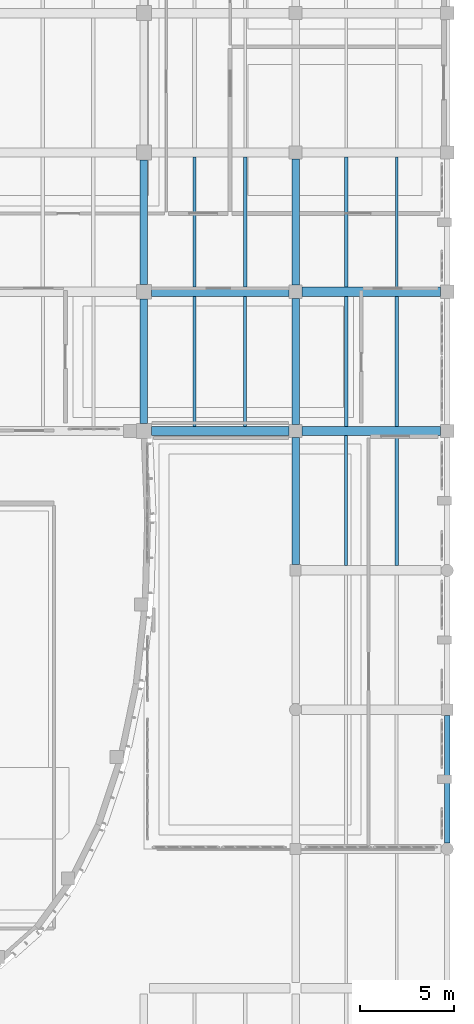
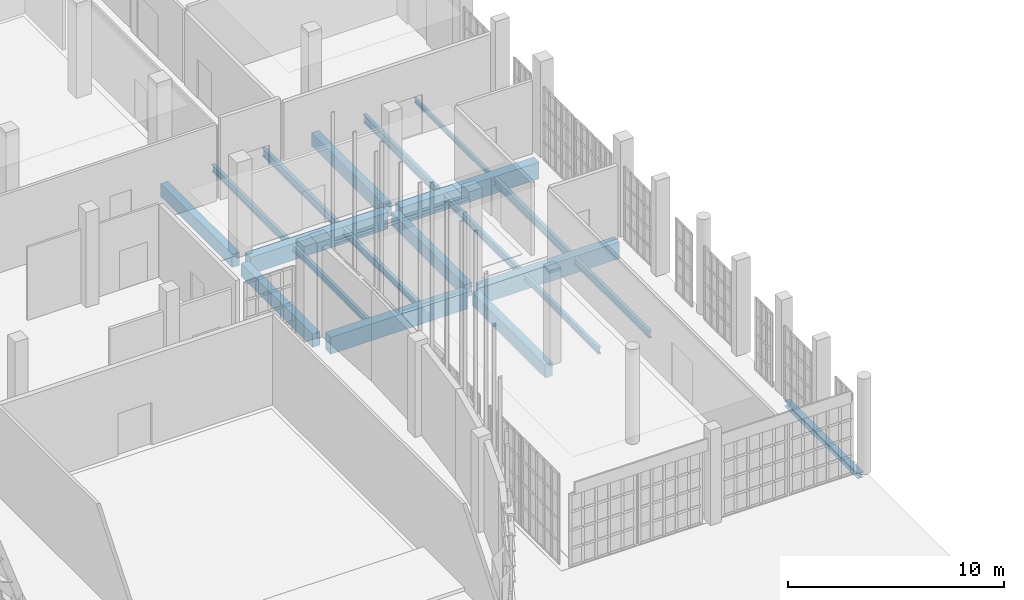
# One storey, part 285 of 372: 20 beams.
"""IFC4 building model written with IfcOpenShell, lengths in metres."""

from ifc_helpers import new_model, si_unit, direction, frame, origin, origin_2d, place, context, subcontext, project, spatial, rectangle, i_section, extrude, material, material_profile, profile_set, type_object, element, save


model = new_model("IFC4")

# Units and contexts
model_context = context("Model", 3, precision=1e-05, world=origin(), true_north=direction((0.0, 1.0)))
body_context = subcontext(model_context, "Body", "Model", "MODEL_VIEW")
ifc_project = project(units=[si_unit("LENGTHUNIT", "METRE"), si_unit("AREAUNIT", "SQUARE_METRE"), si_unit("VOLUMEUNIT", "CUBIC_METRE"), si_unit("PLANEANGLEUNIT", "RADIAN"), si_unit("MASSUNIT", "GRAM", prefix="KILO")], contexts=[model_context])

# Site, building, storey
site_placement = place(None, origin())
site = spatial("IfcSite", under=ifc_project, at=site_placement, CompositionType="ELEMENT")
building_placement = place(site_placement, origin())
building = spatial("IfcBuilding", under=site, at=building_placement, Name="Kaelora Sail Theatre", CompositionType="ELEMENT")
storey_placement = place(building_placement, origin())
storey = spatial("IfcBuildingStorey", under=building, at=storey_placement, Name="L00", CompositionType="ELEMENT", Elevation=0.0)

# Beams
ifc_material_1 = material(Name="Steel S355", Category="steel")
ifc_material_profile_1 = material_profile(ifc_material_1, i_section(OverallWidth=0.18994140625, OverallDepth=0.449951171875, WebThickness=0.009521484375, FlangeThickness=0.0146484375, FilletRadius=0.02099609375, at=origin_2d()), Name="IPE 450")
ifc_profile_set_1 = profile_set([ifc_material_profile_1], Name="Steel S355")
beam_type_1 = type_object("IfcBeamType", Name="STR-BM-BM-IPE450", PredefinedType="BEAM", material=ifc_profile_set_1)
for number, where, z_axis, x_axis, name in (
    (1, (152.699951171875, 61.27001953125, -0.544921875), (0.0, 1.0, 0.0), (-1.0, 0.0, 0.0), "Secondary floor joist 19/I-2 (L00)"),
    (2, (160.800048828125, 53.830078125, -0.544921875), (0.0, 1.0, 0.0), (-1.0, 0.0, 0.0), "Secondary floor joist 20/H-2 (L00)"),
    (3, (158.10009765625, 61.27001953125, -0.544921875), (0.0, 1.0, 0.0), (-1.0, 0.0, 0.0), "Secondary floor joist 20/I-1 (L00)"),
):
    element("IfcBeam", number, at=place(storey_placement, frame(where, z_axis=z_axis, x_axis=x_axis)), inside=storey, type_object=beam_type_1, Name=name, PredefinedType="BEAM", context=body_context, shape_type="SweptSolid", body=[
        extrude(i_section(OverallWidth=0.18994140625, OverallDepth=0.449951171875, WebThickness=0.009521484375, FlangeThickness=0.0146484375, FilletRadius=0.02099609375, at=origin_2d()), origin(), (0.0, 0.0, 1.0), 6.93994140625),
    ])
ifc_material_2 = material(Name="Concrete C40/50", Category="concrete")
ifc_material_profile_2 = material_profile(ifc_material_2, rectangle(XDim=0.39990234375, YDim=0.75, at=origin_2d()), Name="RC-BM 400x750")
ifc_profile_set_2 = profile_set([ifc_material_profile_2], Name="Concrete C40/50")
beam_type_2 = type_object("IfcBeamType", Name="STR-BM-BM-RC4075", PredefinedType="BEAM", material=ifc_profile_set_2)
for number, where, z_axis, x_axis, name in (
    (4, (147.300048828125, 53.97998046875, -0.695068359375), (0.0, 1.0, 0.0), (-1.0, 0.0, 0.0), "Primary beam 19 H-I (L00)"),
    (5, (147.300048828125, 61.419921875, -0.695068359375), (0.0, 1.0, 0.0), (-1.0, 0.0, 0.0), "Primary beam 19 I-J (L00)"),
):
    element("IfcBeam", number, at=place(storey_placement, frame(where, z_axis=z_axis, x_axis=x_axis)), inside=storey, type_object=beam_type_2, Name=name, PredefinedType="BEAM", context=body_context, shape_type="SweptSolid", body=[
        extrude(rectangle(XDim=0.39990234375, YDim=0.75, at=origin_2d()), origin(), (0.0, 0.0, 1.0), 6.64013671875),
    ])
beam_1_placement = place(storey_placement, frame((155.39990234375, 46.43994140625, -0.695068359375), z_axis=(0.0, 1.0, 0.0), x_axis=(-1.0, 0.0, 0.0)))
element("IfcBeam", 6, at=beam_1_placement, inside=storey, type_object=beam_type_2, Name="Primary beam 20 G-H (L00)", PredefinedType="BEAM", context=body_context, shape_type="SweptSolid", body=[
    extrude(rectangle(XDim=0.39990234375, YDim=0.75, at=origin_2d()), origin(), (0.0, 0.0, 1.0), 6.7900390625),
])
for number, where, z_axis, x_axis, name in (
    (7, (155.39990234375, 53.929931640625, -0.695068359375), (0.0, 1.0, 0.0), (-1.0, 0.0, 0.0), "Primary beam 20 H-I (L00)"),
    (8, (155.39990234375, 61.3701171875, -0.695068359375), (0.0, 1.0, 0.0), (-1.0, 0.0, 0.0), "Primary beam 20 I-J (L00)"),
):
    element("IfcBeam", number, at=place(storey_placement, frame(where, z_axis=z_axis, x_axis=x_axis)), inside=storey, type_object=beam_type_2, Name=name, PredefinedType="BEAM", context=body_context, shape_type="SweptSolid", body=[
        extrude(rectangle(XDim=0.39990234375, YDim=0.75, at=origin_2d()), origin(), (0.0, 0.0, 1.0), 6.739990234375),
    ])
ifc_material_3 = material(Name="Concrete C45/55", Category="concrete")
ifc_material_profile_3 = material_profile(ifc_material_3, rectangle(XDim=0.5, YDim=0.949951171875, at=origin_2d()), Name="RC-GRD 500x950")
ifc_profile_set_3 = profile_set([ifc_material_profile_3], Name="Concrete C45/55")
beam_type_3 = type_object("IfcBeamType", Name="STR-BM-GR-RC5095", PredefinedType="T_BEAM", material=ifc_profile_set_3)
for number, where, z_axis, x_axis, name in (
    (9, (147.699951171875, 53.580078125, -0.794921875), (1.0, 0.0, 0.0), (0.0, 1.0, 0.0), "Primary beam H 19-20 (L00)"),
    (10, (147.699951171875, 61.02001953125, -0.794921875), (1.0, 0.0, 0.0), (0.0, 1.0, 0.0), "Primary beam I 19-20 (L00)"),
):
    element("IfcBeam", number, at=place(storey_placement, frame(where, z_axis=z_axis, x_axis=x_axis)), inside=storey, type_object=beam_type_3, Name=name, PredefinedType="T_BEAM", context=body_context, shape_type="SweptSolid", body=[
        extrude(rectangle(XDim=0.5, YDim=0.949951171875, at=origin_2d()), origin(), (0.0, 0.0, 1.0), 7.35009765625),
    ])
for number, where, z_axis, x_axis, name in (
    (11, (155.75, 53.580078125, -0.794921875), (1.0, 0.0, 0.0), (0.0, 1.0, 0.0), "Primary beam H 20-21 (L00)"),
    (12, (155.75, 61.02001953125, -0.794921875), (1.0, 0.0, 0.0), (0.0, 1.0, 0.0), "Primary beam I 20-21 (L00)"),
):
    element("IfcBeam", number, at=place(storey_placement, frame(where, z_axis=z_axis, x_axis=x_axis)), inside=storey, type_object=beam_type_3, Name=name, PredefinedType="T_BEAM", context=body_context, shape_type="SweptSolid", body=[
        extrude(rectangle(XDim=0.5, YDim=0.949951171875, at=origin_2d()), origin(), (0.0, 0.0, 1.0), 7.39990234375),
    ])
ifc_material_4 = material(Name="Steel S355", Category="steel")
ifc_material_profile_4 = material_profile(ifc_material_4, i_section(OverallWidth=0.135009765625, OverallDepth=0.27001953125, WebThickness=0.006591796875, FlangeThickness=0.01025390625, FilletRadius=0.014892578125, at=origin_2d()), Name="IPE 270")
ifc_profile_set_4 = profile_set([ifc_material_profile_4], Name="Steel S355")
beam_type_4 = type_object("IfcBeamType", Name="STR-BM-JS-IPE270", PredefinedType="JOIST", material=ifc_profile_set_4)
beam_2_placement = place(storey_placement, frame((160.800048828125, 61.27001953125, -0.455078125), z_axis=(0.0, 1.0, 0.0), x_axis=(-1.0, 0.0, 0.0)))
element("IfcBeam", 13, at=beam_2_placement, inside=storey, type_object=beam_type_4, Name="Secondary floor joist 20/I-2 (L00)", PredefinedType="JOIST", context=body_context, shape_type="SweptSolid", body=[
    extrude(i_section(OverallWidth=0.135009765625, OverallDepth=0.27001953125, WebThickness=0.006591796875, FlangeThickness=0.01025390625, FilletRadius=0.014892578125, at=origin_2d()), origin(), (0.0, 0.0, 1.0), 6.93994140625),
])
ifc_material_5 = material(Name="Steel S355", Category="steel")
ifc_material_profile_5 = material_profile(ifc_material_5, i_section(OverallWidth=0.169921875, OverallDepth=0.360107421875, WebThickness=0.008056640625, FlangeThickness=0.0126953125, FilletRadius=0.01806640625, at=origin_2d()), Name="IPE 360")
ifc_profile_set_5 = profile_set([ifc_material_profile_5], Name="Steel S355")
beam_type_5 = type_object("IfcBeamType", Name="STR-BM-JS-IPE360", PredefinedType="JOIST", material=ifc_profile_set_5)
beam_3_placement = place(storey_placement, frame((150.0, 53.830078125, -0.5), z_axis=(0.0, 1.0, 0.0), x_axis=(-1.0, 0.0, 0.0)))
element("IfcBeam", 14, at=beam_3_placement, inside=storey, type_object=beam_type_5, Name="Secondary floor joist 19/H-1 (L00)", PredefinedType="JOIST", context=body_context, shape_type="SweptSolid", body=[
    extrude(i_section(OverallWidth=0.169921875, OverallDepth=0.360107421875, WebThickness=0.008056640625, FlangeThickness=0.0126953125, FilletRadius=0.01806640625, at=origin_2d()), origin(), (0.0, 0.0, 1.0), 6.93994140625),
])
beam_4_placement = place(storey_placement, frame((158.10009765625, 46.389892578125, -0.5), z_axis=(0.0, 1.0, 0.0), x_axis=(-1.0, 0.0, 0.0)))
element("IfcBeam", 15, at=beam_4_placement, inside=storey, type_object=beam_type_5, Name="Secondary floor joist 20/G-1 (L00)", PredefinedType="JOIST", context=body_context, shape_type="SweptSolid", body=[
    extrude(i_section(OverallWidth=0.169921875, OverallDepth=0.360107421875, WebThickness=0.008056640625, FlangeThickness=0.0126953125, FilletRadius=0.01806640625, at=origin_2d()), origin(), (0.0, 0.0, 1.0), 6.940185546875),
])
ifc_material_6 = material(Name="Steel S355", Category="steel")
ifc_material_profile_6 = material_profile(ifc_material_6, i_section(OverallWidth=0.179931640625, OverallDepth=0.39990234375, WebThickness=0.008544921875, FlangeThickness=0.013427734375, FilletRadius=0.02099609375, at=origin_2d()), Name="IPE 400")
ifc_profile_set_6 = profile_set([ifc_material_profile_6], Name="Steel S355")
beam_type_6 = type_object("IfcBeamType", Name="STR-BM-JS-IPE400", PredefinedType="JOIST", material=ifc_profile_set_6)
for number, where, z_axis, x_axis, name in (
    (16, (152.699951171875, 53.830078125, -0.52001953125), (0.0, 1.0, 0.0), (-1.0, 0.0, 0.0), "Secondary floor joist 19/H-2 (L00)"),
    (17, (150.0, 61.27001953125, -0.52001953125), (0.0, 1.0, 0.0), (-1.0, 0.0, 0.0), "Secondary floor joist 19/I-1 (L00)"),
):
    element("IfcBeam", number, at=place(storey_placement, frame(where, z_axis=z_axis, x_axis=x_axis)), inside=storey, type_object=beam_type_6, Name=name, PredefinedType="JOIST", context=body_context, shape_type="SweptSolid", body=[
        extrude(i_section(OverallWidth=0.179931640625, OverallDepth=0.39990234375, WebThickness=0.008544921875, FlangeThickness=0.013427734375, FilletRadius=0.02099609375, at=origin_2d()), origin(), (0.0, 0.0, 1.0), 6.93994140625),
    ])
beam_5_placement = place(storey_placement, frame((160.800048828125, 46.389892578125, -0.52001953125), z_axis=(0.0, 1.0, 0.0), x_axis=(-1.0, 0.0, 0.0)))
element("IfcBeam", 18, at=beam_5_placement, inside=storey, type_object=beam_type_6, Name="Secondary floor joist 20/G-2 (L00)", PredefinedType="JOIST", context=body_context, shape_type="SweptSolid", body=[
    extrude(i_section(OverallWidth=0.179931640625, OverallDepth=0.39990234375, WebThickness=0.008544921875, FlangeThickness=0.013427734375, FilletRadius=0.02099609375, at=origin_2d()), origin(), (0.0, 0.0, 1.0), 6.940185546875),
])
beam_6_placement = place(storey_placement, frame((158.10009765625, 53.830078125, -0.52001953125), z_axis=(0.0, 1.0, 0.0), x_axis=(-1.0, 0.0, 0.0)))
element("IfcBeam", 19, at=beam_6_placement, inside=storey, type_object=beam_type_6, Name="Secondary floor joist 20/H-1 (L00)", PredefinedType="JOIST", context=body_context, shape_type="SweptSolid", body=[
    extrude(i_section(OverallWidth=0.179931640625, OverallDepth=0.39990234375, WebThickness=0.008544921875, FlangeThickness=0.013427734375, FilletRadius=0.02099609375, at=origin_2d()), origin(), (0.0, 0.0, 1.0), 6.93994140625),
])
ifc_material_7 = material(Name="Steel S355", Category="steel")
ifc_material_profile_7 = material_profile(ifc_material_7, i_section(OverallWidth=0.300048828125, OverallDepth=0.300048828125, WebThickness=0.010986328125, FlangeThickness=0.01904296875, FilletRadius=0.027099609375, at=origin_2d()), Name="HEB 300")
ifc_profile_set_7 = profile_set([ifc_material_profile_7], Name="Steel S355")
beam_type_7 = type_object("IfcBeamType", Name="STR-BM-SP-HEB300", PredefinedType="SPANDREL", material=ifc_profile_set_7)
beam_7_placement = place(storey_placement, frame((163.5, 31.5849609375, -0.469970703125), z_axis=(0.0, 1.0, 0.0), x_axis=(-1.0, 0.0, 0.0)))
element("IfcBeam", 20, at=beam_7_placement, inside=storey, type_object=beam_type_7, Name="Primary beam 21 E-F (L00)", PredefinedType="SPANDREL", context=body_context, shape_type="SweptSolid", body=[
    extrude(i_section(OverallWidth=0.300048828125, OverallDepth=0.300048828125, WebThickness=0.010986328125, FlangeThickness=0.01904296875, FilletRadius=0.027099609375, at=origin_2d()), origin(), (0.0, 0.0, 1.0), 6.81494140625),
])

save(model, "model.ifc")
